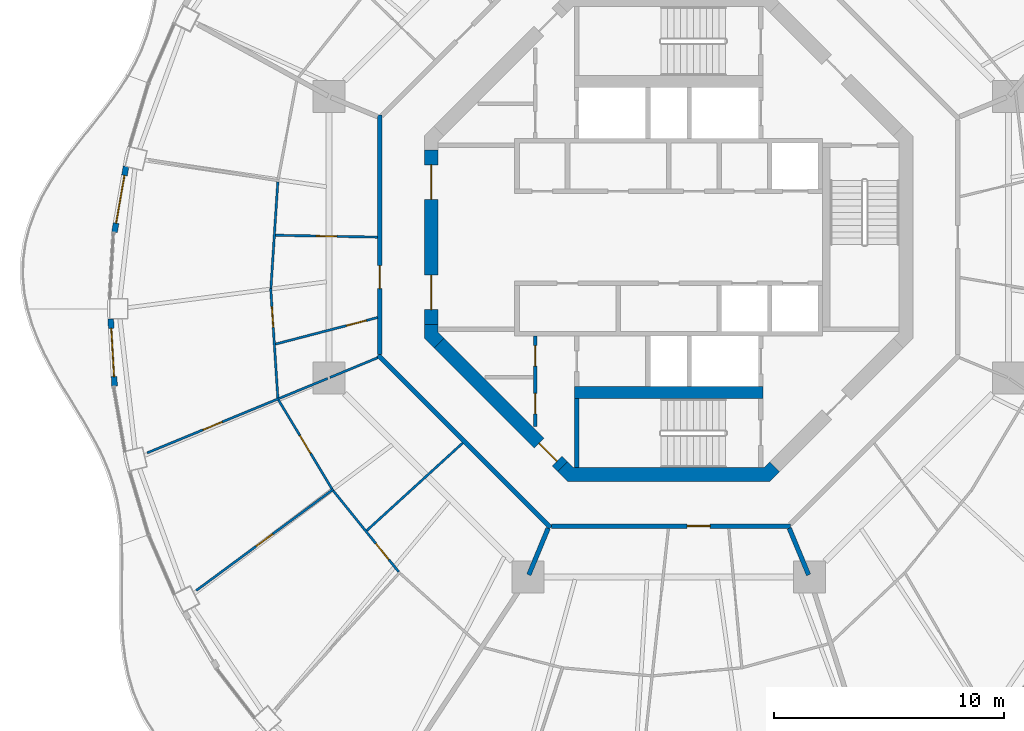
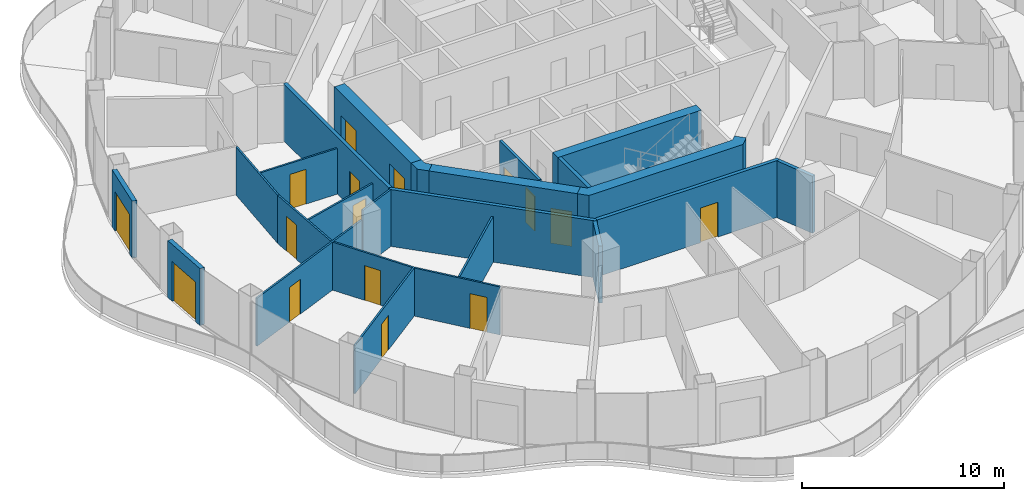
# One storey, part 10 of 17: 24 walls, 16 doors, 16 openings.
"""IFC4 building model written with IfcOpenShell, lengths in metres."""

import ifcopenshell
import ifcopenshell.guid

model = None  # the IFC model being written
_history = None  # IfcOwnerHistory: only IFC2X3 demands one
_inside = {}  # id of a spatial element -> (the spatial element, [elements in it])
_under = {}  # id of a project, library or spatial element -> (it, [spatial elements below it])
_declared = {}  # id of a project -> (the project, [libraries it declares])
_typed = {}  # id of a type object -> (the type object, [elements of that type])
_made_of = {}  # id of a material, layer set ... -> (it, [elements and type objects made of it])


def new_model(schema):
    """Start an empty IFC model of exactly this schema.

    Asked for "IFC4X3", IfcOpenShell would pick the latest addendum, in which some entities
    have other attributes; the version numbers below select the first issue.
    IFC2X3 requires an IfcOwnerHistory on every rooted entity: one is made here for all.
    """
    global model, _history
    if schema == "IFC4X3":
        model = ifcopenshell.file(schema_version=(4, 3, 0, 0))
    else:
        model = ifcopenshell.file(schema=schema)
    _inside.clear()
    _under.clear()
    _declared.clear()
    _typed.clear()
    _made_of.clear()
    _history = None
    if model.schema == "IFC2X3":
        org = make("IfcOrganization", Name="unknown")
        user = make(
            "IfcPersonAndOrganization",
            ThePerson=make("IfcPerson", FamilyName="unknown"),
            TheOrganization=org,
        )
        app = make(
            "IfcApplication",
            ApplicationDeveloper=org,
            Version="unknown",
            ApplicationFullName="unknown",
            ApplicationIdentifier="unknown",
        )
        _history = make(
            "IfcOwnerHistory",
            OwningUser=user,
            OwningApplication=app,
            ChangeAction="ADDED",
            CreationDate=0,
        )
    return model


def make(cls, **values):
    """One entity of the class cls with the attributes given. An attribute that is None is left unset."""
    return model.create_entity(
        cls, **{name: value for name, value in values.items() if value is not None}
    )


def rooted(cls, **values):
    """An entity with a GlobalId (a new one), such as an element, a storey or a relation."""
    return make(cls, GlobalId=ifcopenshell.guid.new(), OwnerHistory=_history, **values)


def si_unit(unit_type, name, prefix=None):
    """IfcSIUnit, for example si_unit("LENGTHUNIT", "METRE", prefix="MILLI")."""
    return make("IfcSIUnit", UnitType=unit_type, Prefix=prefix, Name=name)


def assignment(units):
    """IfcUnitAssignment: the units of a project."""
    return None if units is None else make("IfcUnitAssignment", Units=units)


def point(xyz):
    """IfcCartesianPoint."""
    return None if xyz is None else make("IfcCartesianPoint", Coordinates=xyz)


def direction(xyz):
    """IfcDirection."""
    return None if xyz is None else make("IfcDirection", DirectionRatios=xyz)


def frame(location, z_axis=None, x_axis=None):
    """IfcAxis2Placement3D, a coordinate frame: its origin and axes. An axis left out is left unset."""
    return make(
        "IfcAxis2Placement3D",
        Location=point(location),
        Axis=direction(z_axis),
        RefDirection=direction(x_axis),
    )


def frame_2d(location, x_axis=None):
    """IfcAxis2Placement2D, a coordinate frame in the plane: its origin and x axis."""
    return make(
        "IfcAxis2Placement2D", Location=point(location), RefDirection=direction(x_axis)
    )


def origin():
    """The frame at (0, 0, 0) with its axes left unset."""
    return frame((0.0, 0.0, 0.0))


def place(relative_to, where):
    """IfcLocalPlacement: puts the frame where relative to a parent placement (None: the world)."""
    return make(
        "IfcLocalPlacement", PlacementRelTo=relative_to, RelativePlacement=where
    )


def context(
    kind, dimensions, precision=None, world=None, true_north=None, identifier=None
):
    """IfcGeometricRepresentationContext, for example the 3D "Model" context."""
    return make(
        "IfcGeometricRepresentationContext",
        ContextIdentifier=identifier,
        ContextType=kind,
        CoordinateSpaceDimension=dimensions,
        Precision=precision,
        WorldCoordinateSystem=world,
        TrueNorth=true_north,
    )


def subcontext(parent, identifier, kind, view, scale=None):
    """IfcGeometricRepresentationSubContext, for example "Body" below "Model"."""
    return make(
        "IfcGeometricRepresentationSubContext",
        ContextIdentifier=identifier,
        ContextType=kind,
        ParentContext=parent,
        TargetScale=scale,
        TargetView=view,
    )


def project(units=None, contexts=None):
    """IfcProject with its units and contexts."""
    return rooted(
        "IfcProject",
        Name="project",
        RepresentationContexts=contexts,
        UnitsInContext=assignment(units),
    )


def spatial(cls, under=None, at=None, **own):
    """A site, building, storey or space (cls), placed at a placement, below another one or the project."""
    s = rooted(cls, ObjectPlacement=at, **own)
    if under is not None:
        _under.setdefault(under.id(), (under, []))[1].append(s)
    return s


def polyline(points):
    """IfcPolyline through the points."""
    return make("IfcPolyline", Points=[point(p) for p in points])


def profile(cls, at=None, kind="AREA", **sizes):
    """A parametric profile (cls). Its sizes go by their IFC names, for example OverallWidth=200.0."""
    return make(cls, ProfileType=kind, Position=at, **sizes)


def rectangle(**sizes):
    """IfcRectangleProfileDef."""
    return profile("IfcRectangleProfileDef", **sizes)


def outline(outer, holes=None, kind="AREA"):
    """IfcArbitraryClosedProfileDef: a profile drawn as a closed curve; with holes, ...WithVoids."""
    if holes is None:
        return make("IfcArbitraryClosedProfileDef", ProfileType=kind, OuterCurve=outer)
    return make(
        "IfcArbitraryProfileDefWithVoids",
        ProfileType=kind,
        OuterCurve=outer,
        InnerCurves=holes,
    )


def extrude(swept, where, along, depth):
    """IfcExtrudedAreaSolid: the profile swept, set in the frame where, extruded along a direction by depth."""
    return make(
        "IfcExtrudedAreaSolid",
        SweptArea=swept,
        Position=where,
        ExtrudedDirection=direction(along),
        Depth=depth,
    )


def shape(context_of_items, identifier, shape_type, items):
    """IfcShapeRepresentation: the items that make up one representation, for example the "Body"."""
    return make(
        "IfcShapeRepresentation",
        ContextOfItems=context_of_items,
        RepresentationIdentifier=identifier,
        RepresentationType=shape_type,
        Items=items,
    )


def material(Name=None, Category=None):
    """IfcMaterial."""
    return make("IfcMaterial", Name=Name, Category=Category)


def layer(
    of_material, thickness, ventilated=None, Name=None, Category=None, Priority=None
):
    """IfcMaterialLayer: one layer of a wall or slab, of a material (None: an air gap)."""
    return make(
        "IfcMaterialLayer",
        Material=of_material,
        LayerThickness=thickness,
        IsVentilated=ventilated,
        Name=Name,
        Category=Category,
        Priority=Priority,
    )


def layer_set(layers, Name=None):
    """IfcMaterialLayerSet."""
    return make("IfcMaterialLayerSet", MaterialLayers=layers, LayerSetName=Name)


def made_of(thing, what):
    """Note that an element or type object is made of a material, layer set ...; save() writes the relation."""
    if what is not None:
        _made_of.setdefault(what.id(), (what, []))[1].append(thing)
    return thing


def type_object(cls, material=None, **own):
    """A type object (cls), such as IfcWallType, which elements share."""
    return made_of(rooted(cls, **own), material)


def element(
    cls,
    number,
    at=None,
    inside=None,
    cuts=None,
    type_object=None,
    material=None,
    context=None,
    identifier="Body",
    shape_type=None,
    held_by="IfcProductDefinitionShape",
    body=None,
    shapes=None,
    **own,
):
    """One element of the class cls, such as IfcWall. Its Tag is "e" and its number.

    at: its placement. inside: the storey or other place that contains it. cuts: it is an
    opening in that element (IfcRelVoidsElement). A single representation is given by context,
    identifier, shape_type and body (its items); several are given by shapes. held_by: the class
    of the entity that holds the representations. save() writes the other relations.
    """
    e = rooted(cls, Tag="e%d" % number, ObjectPlacement=at, **own)
    if body is not None:
        shapes = [shape(context, identifier, shape_type, body)]
    if shapes is not None:
        e.Representation = make(held_by, Representations=shapes)
    if inside is not None:
        _inside.setdefault(inside.id(), (inside, []))[1].append(e)
    if cuts is not None:
        rooted(
            "IfcRelVoidsElement", RelatingBuildingElement=cuts, RelatedOpeningElement=e
        )
    if type_object is not None:
        _typed.setdefault(type_object.id(), (type_object, []))[1].append(e)
    return made_of(e, material)


def fill(opening, filler):
    """IfcRelFillsElement: the door or window that sits in an opening."""
    return rooted(
        "IfcRelFillsElement",
        RelatingOpeningElement=opening,
        RelatedBuildingElement=filler,
    )


def aggregate(whole, parts):
    """IfcRelAggregates: a whole, such as a stair, and the parts it consists of."""
    return rooted("IfcRelAggregates", RelatingObject=whole, RelatedObjects=parts)


def save(model, path):
    """Write the relations noted so far, then the file.

    IfcRelAggregates (storeys below a building ...), IfcRelContainedInSpatialStructure (elements
    in a storey), IfcRelDefinesByType, IfcRelAssociatesMaterial and IfcRelDeclares: one each for
    every whole, place, type object, material and project.
    """
    for whole, parts in _under.values():
        aggregate(whole, parts)
    for where, things in _inside.values():
        rooted(
            "IfcRelContainedInSpatialStructure",
            RelatedElements=things,
            RelatingStructure=where,
        )
    for kind, things in _typed.values():
        rooted("IfcRelDefinesByType", RelatedObjects=things, RelatingType=kind)
    for what, things in _made_of.values():
        rooted("IfcRelAssociatesMaterial", RelatedObjects=things, RelatingMaterial=what)
    for by, libraries in _declared.values():
        rooted("IfcRelDeclares", RelatingContext=by, RelatedDefinitions=libraries)
    model.write(path)


model = new_model("IFC4")

# Units and contexts
model_context = context("Model", 3, precision=1e-05, world=origin(), true_north=direction((0.0, 1.0)))
body_context = subcontext(model_context, "Body", "Model", "MODEL_VIEW")
ifc_project = project(units=[si_unit("LENGTHUNIT", "METRE"), si_unit("AREAUNIT", "SQUARE_METRE"), si_unit("VOLUMEUNIT", "CUBIC_METRE"), si_unit("PLANEANGLEUNIT", "RADIAN"), si_unit("MASSUNIT", "GRAM", prefix="KILO")], contexts=[model_context])

# Site, building, storey
site_placement = place(None, origin())
site = spatial("IfcSite", under=ifc_project, at=site_placement, CompositionType="ELEMENT")
building_placement = place(site_placement, origin())
building = spatial("IfcBuilding", under=site, at=building_placement, Name="Nagisa Residences", CompositionType="ELEMENT")
storey_placement = place(building_placement, frame((0.0, 0.0, 273.300048828125)))
storey = spatial("IfcBuildingStorey", under=building, at=storey_placement, Name="L69", CompositionType="ELEMENT", Elevation=273.300048828125)

# Walls
ifc_material_1 = material(Name="Gypsum board on steel studs", Category="steel")
ifc_layer_1 = layer(ifc_material_1, 0.199951171875)
ifc_layer_set_1 = layer_set([ifc_layer_1], Name="Apartment compartment wall EI60 200")
wall_type_1 = type_object("IfcWallType", Name="Apartment compartment wall EI60 200", PredefinedType="PARTITIONING", material=ifc_layer_set_1)
wall_1_placement = place(storey_placement, frame((-5.24267578125, -12.6572265625, 0.0), z_axis=(0.0, 0.0, 1.0), x_axis=(-0.382770106157, -0.923843626288, 0.0)))
element("IfcWall", 1, at=wall_1_placement, inside=storey, type_object=wall_type_1, Name="wall:L69:u06", PredefinedType="PARTITIONING", context=body_context, shape_type="SweptSolid", body=[
    extrude(rectangle(XDim=2.19921875, YDim=0.199951171875, at=frame_2d((1.099609375, 0.0))), origin(), (0.0, 0.0, 1.0), 3.43994140625),
])
wall_2_placement = place(storey_placement, frame((5.24267578125, -12.6572265625, 0.0), z_axis=(0.0, 0.0, 1.0), x_axis=(0.382707856524, -0.923869415315, 0.0)))
element("IfcWall", 2, at=wall_2_placement, inside=storey, type_object=wall_type_1, Name="wall:L69:u08", PredefinedType="PARTITIONING", context=body_context, shape_type="SweptSolid", body=[
    extrude(rectangle(XDim=2.2001953125, YDim=0.199951171875, at=frame_2d((1.10009765625, 0.0))), origin(), (0.0, 0.0, 1.0), 3.43994140625),
])

# Wall, opening, door
ifc_material_2 = material(Name="Gypsum board on steel studs", Category="steel")
ifc_layer_2 = layer(ifc_material_2, 0.199951171875)
ifc_layer_set_2 = layer_set([ifc_layer_2], Name="Apartment entry wall EI60 200")
wall_type_2 = type_object("IfcWallType", Name="Apartment entry wall EI60 200", PredefinedType="PARTITIONING", material=ifc_layer_set_2)
wall_3_placement = place(storey_placement, frame((-12.564697265625, 5.304443359375, 0.0), z_axis=(0.0, 0.0, 1.0), x_axis=(0.0, -1.0, 0.0)))
wall_3 = element("IfcWall", 3, at=wall_3_placement, inside=storey, type_object=wall_type_2, Name="wall:L69:u14", PredefinedType="PARTITIONING", context=body_context, shape_type="SweptSolid", body=[
    extrude(rectangle(XDim=10.408935546875, YDim=0.199951171875, at=frame_2d((5.20458984375, 0.0))), origin(), (0.0, 0.0, 1.0), 3.43994140625),
])
opening_1_placement = place(wall_3_placement, frame((6.539306640625, 0.0, 0.0)))
opening_1 = element("IfcOpeningElement", 4, at=opening_1_placement, cuts=wall_3, Name="Opening L69-U15", PredefinedType="OPENING", context=body_context, shape_type="SweptSolid", body=[
    extrude(rectangle(XDim=1.0, YDim=2.10009765625, at=frame_2d((0.5, 1.050048828125))), frame((0.0, 0.10986328125, 0.0), z_axis=(0.0, -1.0, 0.0), x_axis=(1.0, 0.0, 0.0)), (0.0, 0.0, 1.0), 0.219970703125),
])
ifc_material_3 = material(Name="Timber fire door set", Category="wood")
door_type_1 = type_object("IfcDoorType", Name="Apartment entry door FD30S 1000x2100", OperationType="NOTDEFINED", PredefinedType="DOOR", material=ifc_material_3)
door_1_placement = place(opening_1_placement, frame((1.0, 0.0, 0.0), x_axis=(-1.0, 0.0, 0.0)))
door_1 = element("IfcDoor", 5, at=door_1_placement, inside=storey, type_object=door_type_1, Name="Entry door, Apartment 69C", OperationType="SINGLE_SWING_RIGHT", OverallHeight=2.10009765625, OverallWidth=1.0, PredefinedType="DOOR", context=body_context, shape_type="SweptSolid", body=[
    extrude(rectangle(XDim=1.0, YDim=2.10009765625, at=frame_2d((0.5, 1.050048828125))), frame((0.0, 0.02490234375, 0.0), z_axis=(0.0, -1.0, 0.0), x_axis=(1.0, 0.0, 0.0)), (0.0, 0.0, 1.0), 0.050048828125),
])
fill(opening_1, door_1)

# Wall
wall_4_placement = place(storey_placement, frame((-12.635498046875, -5.1337890625, 0.0), z_axis=(0.0, 0.0, 1.0), x_axis=(0.707106781187, -0.707106781187, 0.0)))
element("IfcWall", 6, at=wall_4_placement, inside=storey, type_object=wall_type_2, Name="wall:L69:u15", PredefinedType="PARTITIONING", context=body_context, shape_type="SweptSolid", body=[
    extrude(rectangle(XDim=10.609130859375, YDim=0.199951171875, at=frame_2d((5.3046875, 0.0))), origin(), (0.0, 0.0, 1.0), 3.43994140625),
])

# Wall, opening, door
wall_5_placement = place(storey_placement, frame((-5.1044921875, -12.564697265625, 0.0), z_axis=(0.0, 0.0, 1.0), x_axis=(1.0, 0.0, 0.0)))
wall_5 = element("IfcWall", 7, at=wall_5_placement, inside=storey, type_object=wall_type_2, Name="wall:L69:u16", PredefinedType="PARTITIONING", context=body_context, shape_type="SweptSolid", body=[
    extrude(rectangle(XDim=10.408935546875, YDim=0.199951171875, at=frame_2d((5.20458984375, 0.0))), origin(), (0.0, 0.0, 1.0), 3.43994140625),
])
opening_2_placement = place(wall_5_placement, frame((5.905517578125, 0.0, 0.0)))
opening_2 = element("IfcOpeningElement", 8, at=opening_2_placement, cuts=wall_5, Name="Opening L69-U25", PredefinedType="OPENING", context=body_context, shape_type="SweptSolid", body=[
    extrude(rectangle(XDim=1.0, YDim=2.10009765625, at=frame_2d((0.5, 1.050048828125))), frame((0.0, 0.10986328125, 0.0), z_axis=(0.0, -1.0, 0.0), x_axis=(1.0, 0.0, 0.0)), (0.0, 0.0, 1.0), 0.219970703125),
])
door_2_placement = place(opening_2_placement, frame((1.0, 0.0, 0.0), x_axis=(-1.0, 0.0, 0.0)))
door_2 = element("IfcDoor", 9, at=door_2_placement, inside=storey, type_object=door_type_1, Name="Entry door, Apartment 69D", OperationType="SINGLE_SWING_RIGHT", OverallHeight=2.10009765625, OverallWidth=1.0, PredefinedType="DOOR", context=body_context, shape_type="SweptSolid", body=[
    extrude(rectangle(XDim=1.0, YDim=2.10009765625, at=frame_2d((0.5, 1.050048828125))), frame((0.0, 0.02490234375, 0.0), z_axis=(0.0, -1.0, 0.0), x_axis=(1.0, 0.0, 0.0)), (0.0, 0.0, 1.0), 0.050048828125),
])
fill(opening_2, door_2)

# Wall
ifc_material_4 = material(Name="Gypsum board on steel studs", Category="steel")
ifc_layer_3 = layer(ifc_material_4, 0.10009765625)
ifc_layer_set_3 = layer_set([ifc_layer_3], Name="Apartment partition 100")
wall_type_3 = type_object("IfcWallType", Name="Apartment partition 100", PredefinedType="PARTITIONING", material=ifc_layer_set_3)
wall_6_placement = place(storey_placement, frame((-17.001708984375, 2.40869140625, 0.0), z_axis=(0.0, 0.0, 1.0), x_axis=(-0.064855550758, -0.997894662545, 0.0)))
element("IfcWall", 10, at=wall_6_placement, inside=storey, type_object=wall_type_3, Name="wall:L69:u41", PredefinedType="PARTITIONING", context=body_context, shape_type="SweptSolid", body=[
    extrude(rectangle(XDim=4.656494140625, YDim=0.10009765625, at=frame_2d((2.328125, 0.0))), origin(), (0.0, 0.0, 1.0), 2.905029296875),
])

# Wall, opening, door
wall_7_placement = place(storey_placement, frame((-12.664794921875, 0.001953125, 0.0), z_axis=(0.0, 0.0, 1.0), x_axis=(-0.999827178165, 0.018590691287, 0.0)))
wall_7 = element("IfcWall", 11, at=wall_7_placement, inside=storey, type_object=wall_type_3, Name="wall:L69:u42", PredefinedType="PARTITIONING", context=body_context, shape_type="SweptSolid", body=[
    extrude(rectangle(XDim=4.438720703125, YDim=0.10009765625, at=frame_2d((2.21923828125, 0.0))), origin(), (0.0, 0.0, 1.0), 2.761962890625),
])
opening_3_placement = place(wall_7_placement, frame((1.769287109375, 0.0, 0.0)))
opening_3 = element("IfcOpeningElement", 12, at=opening_3_placement, cuts=wall_7, Name="Opening L69-U16", PredefinedType="OPENING", context=body_context, shape_type="SweptSolid", body=[
    extrude(rectangle(XDim=0.89990234375, YDim=2.10009765625, at=frame_2d((0.449951171875, 1.050048828125))), frame((0.0, 0.06005859375, 0.0), z_axis=(0.0, -1.0, 0.0), x_axis=(1.0, 0.0, 0.0)), (0.0, 0.0, 1.0), 0.1201171875),
])
ifc_material_5 = material(Name="Timber door set", Category="wood")
door_type_2 = type_object("IfcDoorType", Name="Apartment door 900x2100", OperationType="NOTDEFINED", PredefinedType="DOOR", material=ifc_material_5)
door_3_placement = place(opening_3_placement, frame((0.89990234375, 0.0, 0.0), x_axis=(-1.0, 0.0, 0.0)))
door_3 = element("IfcDoor", 13, at=door_3_placement, inside=storey, type_object=door_type_2, Name="Door to store, Apartment 69C", OperationType="SINGLE_SWING_LEFT", OverallHeight=2.10009765625, OverallWidth=0.89990234375, PredefinedType="DOOR", context=body_context, shape_type="SweptSolid", body=[
    extrude(rectangle(XDim=0.89990234375, YDim=2.10009765625, at=frame_2d((0.449951171875, 1.050048828125))), frame((0.0, 0.02490234375, 0.0), z_axis=(0.0, -1.0, 0.0), x_axis=(1.0, 0.0, 0.0)), (0.0, 0.0, 1.0), 0.050048828125),
])
fill(opening_3, door_3)

wall_8_placement = place(storey_placement, frame((-17.31005859375, -2.238037109375, 0.0), z_axis=(0.0, 0.0, 1.0), x_axis=(0.064949202176, -0.997888571503, 0.0)))
wall_8 = element("IfcWall", 14, at=wall_8_placement, inside=storey, type_object=wall_type_3, Name="wall:L69:u43", PredefinedType="PARTITIONING", context=body_context, shape_type="SweptSolid", body=[
    extrude(rectangle(XDim=4.7587890625, YDim=0.10009765625, at=frame_2d((2.37939453125, 0.0))), origin(), (0.0, 0.0, 1.0), 2.905029296875),
])
opening_4_placement = place(wall_8_placement, frame((0.789794921875, 0.0, 0.0)))
opening_4 = element("IfcOpeningElement", 15, at=opening_4_placement, cuts=wall_8, Name="Opening L69-U19", PredefinedType="OPENING", context=body_context, shape_type="SweptSolid", body=[
    extrude(rectangle(XDim=0.89990234375, YDim=2.10009765625, at=frame_2d((0.449951171875, 1.050048828125))), frame((0.0, 0.06005859375, 0.0), z_axis=(0.0, -1.0, 0.0), x_axis=(1.0, 0.0, 0.0)), (0.0, 0.0, 1.0), 0.1201171875),
])
door_4_placement = place(opening_4_placement, frame((0.89990234375, 0.0, 0.0), x_axis=(-1.0, 0.0, 0.0)))
door_4 = element("IfcDoor", 16, at=door_4_placement, inside=storey, type_object=door_type_2, Name="Door to living room, Apartment 69C", OperationType="SINGLE_SWING_RIGHT", OverallHeight=2.10009765625, OverallWidth=0.89990234375, PredefinedType="DOOR", context=body_context, shape_type="SweptSolid", body=[
    extrude(rectangle(XDim=0.89990234375, YDim=2.10009765625, at=frame_2d((0.449951171875, 1.050048828125))), frame((0.0, 0.02490234375, 0.0), z_axis=(0.0, -1.0, 0.0), x_axis=(1.0, 0.0, 0.0)), (0.0, 0.0, 1.0), 0.050048828125),
])
fill(opening_4, door_4)

wall_9_placement = place(storey_placement, frame((-12.66162109375, -3.494873046875, 0.0), z_axis=(0.0, 0.0, 1.0), x_axis=(-0.967834941053, -0.251586022817, 0.0)))
wall_9 = element("IfcWall", 17, at=wall_9_placement, inside=storey, type_object=wall_type_3, Name="wall:L69:u44", PredefinedType="PARTITIONING", context=body_context, shape_type="SweptSolid", body=[
    extrude(rectangle(XDim=4.590087890625, YDim=0.10009765625, at=frame_2d((2.294921875, 0.0))), origin(), (0.0, 0.0, 1.0), 2.761962890625),
])
opening_5_placement = place(wall_9_placement, frame((0.49951171875, 0.0, 0.0)))
opening_5 = element("IfcOpeningElement", 18, at=opening_5_placement, cuts=wall_9, Name="Opening L69-U17", PredefinedType="OPENING", context=body_context, shape_type="SweptSolid", body=[
    extrude(rectangle(XDim=0.89990234375, YDim=2.10009765625, at=frame_2d((0.449951171875, 1.050048828125))), frame((0.0, 0.06005859375, 0.0), z_axis=(0.0, -1.0, 0.0), x_axis=(1.0, 0.0, 0.0)), (0.0, 0.0, 1.0), 0.1201171875),
])
door_5_placement = place(opening_5_placement, origin())
door_5 = element("IfcDoor", 19, at=door_5_placement, inside=storey, type_object=door_type_2, Name="Door to family bathroom, Apartment 69C", OperationType="SINGLE_SWING_LEFT", OverallHeight=2.10009765625, OverallWidth=0.89990234375, PredefinedType="DOOR", context=body_context, shape_type="SweptSolid", body=[
    extrude(rectangle(XDim=0.89990234375, YDim=2.10009765625, at=frame_2d((0.449951171875, 1.050048828125))), frame((0.0, 0.02490234375, 0.0), z_axis=(0.0, -1.0, 0.0), x_axis=(1.0, 0.0, 0.0)), (0.0, 0.0, 1.0), 0.050048828125),
])
fill(opening_5, door_5)

# Wall
wall_10_placement = place(storey_placement, frame((-12.6572265625, -5.24267578125, 0.0), z_axis=(0.0, 0.0, 1.0), x_axis=(-0.923871314276, -0.382703272338, 0.0)))
element("IfcWall", 20, at=wall_10_placement, inside=storey, type_object=wall_type_3, Name="wall:L69:u45", PredefinedType="PARTITIONING", context=body_context, shape_type="SweptSolid", body=[
    extrude(rectangle(XDim=2.249267578125, YDim=0.10009765625, at=frame_2d((1.12451171875, 0.0))), origin(), (0.0, 0.0, 1.0), 3.43994140625),
])

# Wall, opening, door
wall_11_placement = place(storey_placement, frame((-14.828369140625, -6.14208984375, 0.0), z_axis=(0.0, 0.0, 1.0), x_axis=(-0.924478087429, -0.381235184451, 0.0)))
wall_11 = element("IfcWall", 21, at=wall_11_placement, inside=storey, type_object=wall_type_3, Name="wall:L69:u46", PredefinedType="PARTITIONING", context=body_context, shape_type="SweptSolid", body=[
    extrude(rectangle(XDim=8.499267578125, YDim=0.10009765625, at=frame_2d((4.24951171875, 0.0))), origin(), (0.0, 0.0, 1.0), 2.905029296875),
])
opening_6_placement = place(wall_11_placement, frame((4.97314453125, 0.0, 0.0)))
opening_6 = element("IfcOpeningElement", 22, at=opening_6_placement, cuts=wall_11, Name="Opening L69-U20", PredefinedType="OPENING", context=body_context, shape_type="SweptSolid", body=[
    extrude(rectangle(XDim=0.89990234375, YDim=2.10009765625, at=frame_2d((0.449951171875, 1.050048828125))), frame((0.0, 0.06005859375, 0.0), z_axis=(0.0, -1.0, 0.0), x_axis=(1.0, 0.0, 0.0)), (0.0, 0.0, 1.0), 0.1201171875),
])
door_6_placement = place(opening_6_placement, origin())
door_6 = element("IfcDoor", 23, at=door_6_placement, inside=storey, type_object=door_type_2, Name="Door to kitchen, Apartment 69C", OperationType="SINGLE_SWING_RIGHT", OverallHeight=2.10009765625, OverallWidth=0.89990234375, PredefinedType="DOOR", context=body_context, shape_type="SweptSolid", body=[
    extrude(rectangle(XDim=0.89990234375, YDim=2.10009765625, at=frame_2d((0.449951171875, 1.050048828125))), frame((0.0, 0.02490234375, 0.0), z_axis=(0.0, -1.0, 0.0), x_axis=(1.0, 0.0, 0.0)), (0.0, 0.0, 1.0), 0.050048828125),
])
fill(opening_6, door_6)

wall_12_placement = place(storey_placement, frame((-16.971923828125, -7.07958984375, 0.0), z_axis=(0.0, 0.0, 1.0), x_axis=(0.514989049311, -0.857196756346, 0.0)))
wall_12 = element("IfcWall", 24, at=wall_12_placement, inside=storey, type_object=wall_type_3, Name="wall:L69:u47", PredefinedType="PARTITIONING", context=body_context, shape_type="SweptSolid", body=[
    extrude(rectangle(XDim=4.51171875, YDim=0.10009765625, at=frame_2d((2.255859375, 0.0))), origin(), (0.0, 0.0, 1.0), 2.905029296875),
])
opening_7_placement = place(wall_12_placement, frame((1.805908203125, 0.0, 0.0)))
opening_7 = element("IfcOpeningElement", 25, at=opening_7_placement, cuts=wall_12, Name="Opening L69-U23", PredefinedType="OPENING", context=body_context, shape_type="SweptSolid", body=[
    extrude(rectangle(XDim=0.89990234375, YDim=2.10009765625, at=frame_2d((0.449951171875, 1.050048828125))), frame((0.0, 0.06005859375, 0.0), z_axis=(0.0, -1.0, 0.0), x_axis=(1.0, 0.0, 0.0)), (0.0, 0.0, 1.0), 0.1201171875),
])
door_7_placement = place(opening_7_placement, origin())
door_7 = element("IfcDoor", 26, at=door_7_placement, inside=storey, type_object=door_type_2, Name="Door to store, Apartment 69C", OperationType="SINGLE_SWING_LEFT", OverallHeight=2.10009765625, OverallWidth=0.89990234375, PredefinedType="DOOR", context=body_context, shape_type="SweptSolid", body=[
    extrude(rectangle(XDim=0.89990234375, YDim=2.10009765625, at=frame_2d((0.449951171875, 1.050048828125))), frame((0.0, 0.02490234375, 0.0), z_axis=(0.0, -1.0, 0.0), x_axis=(1.0, 0.0, 0.0)), (0.0, 0.0, 1.0), 0.050048828125),
])
fill(opening_7, door_7)

wall_13_placement = place(storey_placement, frame((-14.582275390625, -10.960205078125, 0.0), z_axis=(0.0, 0.0, 1.0), x_axis=(-0.804405200554, -0.594081032623, 0.0)))
wall_13 = element("IfcWall", 27, at=wall_13_placement, inside=storey, type_object=wall_type_3, Name="wall:L69:u48", PredefinedType="PARTITIONING", context=body_context, shape_type="SweptSolid", body=[
    extrude(rectangle(XDim=7.41845703125, YDim=0.10009765625, at=frame_2d((3.709228515625, 0.0))), origin(), (0.0, 0.0, 1.0), 2.905029296875),
])
opening_8_placement = place(wall_13_placement, frame((3.2841796875, 0.0, 0.0)))
opening_8 = element("IfcOpeningElement", 28, at=opening_8_placement, cuts=wall_13, Name="Opening L69-U21", PredefinedType="OPENING", context=body_context, shape_type="SweptSolid", body=[
    extrude(rectangle(XDim=0.89990234375, YDim=2.10009765625, at=frame_2d((0.449951171875, 1.050048828125))), frame((0.0, 0.06005859375, 0.0), z_axis=(0.0, -1.0, 0.0), x_axis=(1.0, 0.0, 0.0)), (0.0, 0.0, 1.0), 0.1201171875),
])
door_8_placement = place(opening_8_placement, origin())
door_8 = element("IfcDoor", 29, at=door_8_placement, inside=storey, type_object=door_type_2, Name="Door to family room, Apartment 69C", OperationType="SINGLE_SWING_LEFT", OverallHeight=2.10009765625, OverallWidth=0.89990234375, PredefinedType="DOOR", context=body_context, shape_type="SweptSolid", body=[
    extrude(rectangle(XDim=0.89990234375, YDim=2.10009765625, at=frame_2d((0.449951171875, 1.050048828125))), frame((0.0, 0.02490234375, 0.0), z_axis=(0.0, -1.0, 0.0), x_axis=(1.0, 0.0, 0.0)), (0.0, 0.0, 1.0), 0.050048828125),
])
fill(opening_8, door_8)

wall_14_placement = place(storey_placement, frame((-14.59130859375, -11.02880859375, 0.0), z_axis=(0.0, 0.0, 1.0), x_axis=(0.628170338674, -0.778075848237, 0.0)))
wall_14 = element("IfcWall", 30, at=wall_14_placement, inside=storey, type_object=wall_type_3, Name="wall:L69:u49", PredefinedType="PARTITIONING", context=body_context, shape_type="SweptSolid", body=[
    extrude(rectangle(XDim=4.532470703125, YDim=0.10009765625, at=frame_2d((2.26611328125, 0.0))), origin(), (0.0, 0.0, 1.0), 2.905029296875),
])
opening_9_placement = place(wall_14_placement, frame((2.94921875, 0.0, 0.0)))
opening_9 = element("IfcOpeningElement", 31, at=opening_9_placement, cuts=wall_14, Name="Opening L69-U24", PredefinedType="OPENING", context=body_context, shape_type="SweptSolid", body=[
    extrude(rectangle(XDim=0.89990234375, YDim=2.10009765625, at=frame_2d((0.449951171875, 1.050048828125))), frame((0.0, 0.06005859375, 0.0), z_axis=(0.0, -1.0, 0.0), x_axis=(1.0, 0.0, 0.0)), (0.0, 0.0, 1.0), 0.1201171875),
])
door_9_placement = place(opening_9_placement, origin())
door_9 = element("IfcDoor", 32, at=door_9_placement, inside=storey, type_object=door_type_2, Name="Door to laundry, Apartment 69C", OperationType="SINGLE_SWING_RIGHT", OverallHeight=2.10009765625, OverallWidth=0.89990234375, PredefinedType="DOOR", context=body_context, shape_type="SweptSolid", body=[
    extrude(rectangle(XDim=0.89990234375, YDim=2.10009765625, at=frame_2d((0.449951171875, 1.050048828125))), frame((0.0, 0.02490234375, 0.0), z_axis=(0.0, -1.0, 0.0), x_axis=(1.0, 0.0, 0.0)), (0.0, 0.0, 1.0), 0.050048828125),
])
fill(opening_9, door_9)

# Wall
wall_15_placement = place(storey_placement, frame((-8.95849609375, -8.9521484375, 0.0), z_axis=(0.0, 0.0, 1.0), x_axis=(-0.73876526954, -0.673962815385, 0.0)))
element("IfcWall", 33, at=wall_15_placement, inside=storey, type_object=wall_type_3, Name="wall:L69:u50", PredefinedType="PARTITIONING", context=body_context, shape_type="SweptSolid", body=[
    extrude(rectangle(XDim=5.6474609375, YDim=0.10009765625, at=frame_2d((2.82373046875, 0.0))), origin(), (0.0, 0.0, 1.0), 2.761962890625),
])

# Wall, opening, door
ifc_material_6 = material(Name="Precast concrete C40/50", Category="concrete")
ifc_layer_4 = layer(ifc_material_6, 0.25)
ifc_layer_set_4 = layer_set([ifc_layer_4], Name="BALCONY DOOR WALL 250")
wall_type_4 = type_object("IfcWallType", Name="BALCONY DOOR WALL 250", PredefinedType="SOLIDWALL", material=ifc_layer_set_4)
wall_16_placement = place(storey_placement, frame((-24.103271484375, 0.220458984375, 0.0), z_axis=(0.0, 0.0, 1.0), x_axis=(0.172182411767, 0.985065082661, 0.0)))
wall_16 = element("IfcWall", 34, at=wall_16_placement, inside=storey, type_object=wall_type_4, Name="wall:L69:bay22", PredefinedType="SOLIDWALL", context=body_context, shape_type="SweptSolid", body=[
    extrude(rectangle(XDim=2.902587890625, YDim=0.25, at=frame_2d((1.451171875, 0.0))), origin(), (0.0, 0.0, 1.0), 3.43994140625),
])
opening_10_placement = place(wall_16_placement, frame((0.401123046875, 0.0, 0.0)))
opening_10 = element("IfcOpeningElement", 35, at=opening_10_placement, cuts=wall_16, Name="Opening BD-L69-08", PredefinedType="OPENING", context=body_context, shape_type="SweptSolid", body=[
    extrude(rectangle(XDim=2.10009765625, YDim=2.39990234375, at=frame_2d((1.050048828125, 1.199951171875))), frame((0.0, 0.135009765625, 0.0), z_axis=(0.0, -1.0, 0.0), x_axis=(1.0, 0.0, 0.0)), (0.0, 0.0, 1.0), 0.27001953125),
])
ifc_material_7 = material(Name="Aluminium and clear glass", Category="aluminium")
door_type_3 = type_object("IfcDoorType", Name="BALCONY SLIDING DOOR 2100x2400", OperationType="SLIDING_TO_LEFT", PredefinedType="DOOR", material=ifc_material_7)
door_10_placement = place(opening_10_placement, origin())
door_10 = element("IfcDoor", 36, at=door_10_placement, inside=storey, type_object=door_type_3, Name="door:L69:bay22", OperationType="SLIDING_TO_LEFT", OverallHeight=2.39990234375, OverallWidth=2.10009765625, PredefinedType="DOOR", context=body_context, shape_type="SweptSolid", body=[
    extrude(rectangle(XDim=2.10009765625, YDim=2.39990234375, at=frame_2d((1.050048828125, 1.199951171875))), frame((0.0, 0.02490234375, 0.0), z_axis=(0.0, -1.0, 0.0), x_axis=(1.0, 0.0, 0.0)), (0.0, 0.0, 1.0), 0.050048828125),
])
fill(opening_10, door_10)

wall_17_placement = place(storey_placement, frame((-24.101806640625, -6.47021484375, 0.0), z_axis=(0.0, 0.0, 1.0), x_axis=(-0.057450463359, 0.99834835817, 0.0)))
wall_17 = element("IfcWall", 37, at=wall_17_placement, inside=storey, type_object=wall_type_4, Name="wall:L69:bay24", PredefinedType="SOLIDWALL", context=body_context, shape_type="SweptSolid", body=[
    extrude(rectangle(XDim=2.915283203125, YDim=0.25, at=frame_2d((1.45751953125, 0.0))), origin(), (0.0, 0.0, 1.0), 3.43994140625),
])
opening_11_placement = place(wall_17_placement, frame((0.40771484375, 0.0, 0.0)))
opening_11 = element("IfcOpeningElement", 38, at=opening_11_placement, cuts=wall_17, Name="Opening BD-L69-09", PredefinedType="OPENING", context=body_context, shape_type="SweptSolid", body=[
    extrude(rectangle(XDim=2.10009765625, YDim=2.39990234375, at=frame_2d((1.050048828125, 1.199951171875))), frame((0.0, 0.135009765625, 0.0), z_axis=(0.0, -1.0, 0.0), x_axis=(1.0, 0.0, 0.0)), (0.0, 0.0, 1.0), 0.27001953125),
])
door_11_placement = place(opening_11_placement, origin())
door_11 = element("IfcDoor", 39, at=door_11_placement, inside=storey, type_object=door_type_3, Name="door:L69:bay24", OperationType="SLIDING_TO_LEFT", OverallHeight=2.39990234375, OverallWidth=2.10009765625, PredefinedType="DOOR", context=body_context, shape_type="SweptSolid", body=[
    extrude(rectangle(XDim=2.10009765625, YDim=2.39990234375, at=frame_2d((1.050048828125, 1.199951171875))), frame((0.0, 0.02490234375, 0.0), z_axis=(0.0, -1.0, 0.0), x_axis=(1.0, 0.0, 0.0)), (0.0, 0.0, 1.0), 0.050048828125),
])
fill(opening_11, door_11)

# Wall, openings, doors
ifc_material_8 = material(Name="Gypsum board on steel studs", Category="steel")
ifc_layer_5 = layer(ifc_material_8, 0.14990234375)
ifc_layer_set_5 = layer_set([ifc_layer_5], Name="Core partition 150")
wall_type_5 = type_object("IfcWallType", Name="Core partition 150", PredefinedType="PARTITIONING", material=ifc_layer_set_5)
wall_18_placement = place(storey_placement, frame((-5.800048828125, -8.22705078125, 0.0), z_axis=(0.0, 0.0, 1.0), x_axis=(0.0, 1.0, 0.0)))
wall_18 = element("IfcWall", 40, at=wall_18_placement, inside=storey, type_object=wall_type_5, Name="wall:L69:SWp", PredefinedType="PARTITIONING", context=body_context, shape_type="SweptSolid", body=[
    extrude(rectangle(XDim=3.927001953125, YDim=0.14990234375, at=frame_2d((1.96337890625, 0.0))), origin(), (0.0, 0.0, 1.0), 3.43994140625),
])
opening_12_placement = place(wall_18_placement, frame((2.614501953125, 0.0, 0.0)))
opening_12 = element("IfcOpeningElement", 41, at=opening_12_placement, cuts=wall_18, Name="Opening L69-C12", PredefinedType="OPENING", context=body_context, shape_type="SweptSolid", body=[
    extrude(rectangle(XDim=0.89990234375, YDim=2.10009765625, at=frame_2d((0.449951171875, 1.050048828125))), frame((0.0, 0.0849609375, 0.0), z_axis=(0.0, -1.0, 0.0), x_axis=(1.0, 0.0, 0.0)), (0.0, 0.0, 1.0), 0.169921875),
])
opening_13_placement = place(wall_18_placement, frame((0.53857421875, 0.0, 0.0)))
opening_13 = element("IfcOpeningElement", 42, at=opening_13_placement, cuts=wall_18, Name="Opening L69-C13", PredefinedType="OPENING", context=body_context, shape_type="SweptSolid", body=[
    extrude(rectangle(XDim=0.89990234375, YDim=2.10009765625, at=frame_2d((0.449951171875, 1.050048828125))), frame((0.0, 0.0849609375, 0.0), z_axis=(0.0, -1.0, 0.0), x_axis=(1.0, 0.0, 0.0)), (0.0, 0.0, 1.0), 0.169921875),
])
ifc_material_9 = material(Name="Steel fire door", Category="steel")
door_type_4 = type_object("IfcDoorType", Name="Fire door EI30 900x2100 single swing", OperationType="NOTDEFINED", PredefinedType="DOOR", material=ifc_material_9)
door_12_placement = place(opening_12_placement, origin())
door_12 = element("IfcDoor", 43, at=door_12_placement, inside=storey, type_object=door_type_4, Name="Valet store door L69", OperationType="SINGLE_SWING_RIGHT", OverallHeight=2.10009765625, OverallWidth=0.89990234375, PredefinedType="DOOR", context=body_context, shape_type="SweptSolid", body=[
    extrude(rectangle(XDim=0.89990234375, YDim=2.10009765625, at=frame_2d((0.449951171875, 1.050048828125))), frame((0.0, 0.02490234375, 0.0), z_axis=(0.0, -1.0, 0.0), x_axis=(1.0, 0.0, 0.0)), (0.0, 0.0, 1.0), 0.050048828125),
])
fill(opening_12, door_12)
door_13_placement = place(opening_13_placement, origin())
door_13 = element("IfcDoor", 44, at=door_13_placement, inside=storey, type_object=door_type_4, Name="Staff WC door L69", OperationType="SINGLE_SWING_RIGHT", OverallHeight=2.10009765625, OverallWidth=0.89990234375, PredefinedType="DOOR", context=body_context, shape_type="SweptSolid", body=[
    extrude(rectangle(XDim=0.89990234375, YDim=2.10009765625, at=frame_2d((0.449951171875, 1.050048828125))), frame((0.0, 0.02490234375, 0.0), z_axis=(0.0, -1.0, 0.0), x_axis=(1.0, 0.0, 0.0)), (0.0, 0.0, 1.0), 0.050048828125),
])
fill(opening_13, door_13)

ifc_material_10 = material(Name="Concrete C60", Category="concrete")
ifc_layer_6 = layer(ifc_material_10, 0.60009765625)
ifc_layer_set_6 = layer_set([ifc_layer_6], Name="Core shear wall 600")
wall_type_6 = type_object("IfcWallType", Name="Core shear wall 600", PredefinedType="SHEAR", material=ifc_layer_set_6)
wall_19_placement = place(storey_placement, frame((-10.32470703125, 3.80078125, 0.0), z_axis=(0.0, 0.0, 1.0), x_axis=(0.0, -1.0, 0.0)))
wall_19 = element("IfcWall", 45, at=wall_19_placement, inside=storey, type_object=wall_type_6, Name="wall:L69:core:flat4", PredefinedType="SHEAR", context=body_context, shape_type="SweptSolid", body=[
    extrude(rectangle(XDim=7.6015625, YDim=0.60009765625, at=frame_2d((3.80078125, 0.0))), origin(), (0.0, 0.0, 1.0), 3.43994140625),
])
opening_14_placement = place(wall_19_placement, frame((0.65087890625, 0.0, 0.0)))
opening_14 = element("IfcOpeningElement", 46, at=opening_14_placement, cuts=wall_19, Name="Opening L69-C23", PredefinedType="OPENING", context=body_context, shape_type="SweptSolid", body=[
    extrude(rectangle(XDim=1.5, YDim=2.10009765625, at=frame_2d((0.75, 1.050048828125))), frame((0.0, 0.31005859375, 0.0), z_axis=(0.0, -1.0, 0.0), x_axis=(1.0, 0.0, 0.0)), (0.0, 0.0, 1.0), 0.6201171875),
])
opening_15_placement = place(wall_19_placement, frame((5.450927734375, 0.0, 0.0)))
opening_15 = element("IfcOpeningElement", 47, at=opening_15_placement, cuts=wall_19, Name="Opening L69-C24", PredefinedType="OPENING", context=body_context, shape_type="SweptSolid", body=[
    extrude(rectangle(XDim=1.5, YDim=2.10009765625, at=frame_2d((0.75, 1.050048828125))), frame((0.0, 0.31005859375, 0.0), z_axis=(0.0, -1.0, 0.0), x_axis=(1.0, 0.0, 0.0)), (0.0, 0.0, 1.0), 0.6201171875),
])
ifc_material_11 = material(Name="Steel fire door", Category="steel")
door_type_5 = type_object("IfcDoorType", Name="Fire door EI60 1500x2100 double door single swing", OperationType="DOUBLE_DOOR_SINGLE_SWING", PredefinedType="DOOR", material=ifc_material_11)
door_14_placement = place(opening_14_placement, origin())
door_14 = element("IfcDoor", 48, at=door_14_placement, inside=storey, type_object=door_type_5, Name="Lift lobby door L69 1", OperationType="DOUBLE_DOOR_SINGLE_SWING", OverallHeight=2.10009765625, OverallWidth=1.5, PredefinedType="DOOR", context=body_context, shape_type="SweptSolid", body=[
    extrude(rectangle(XDim=1.5, YDim=2.10009765625, at=frame_2d((0.75, 1.050048828125))), frame((0.0, 0.02490234375, 0.0), z_axis=(0.0, -1.0, 0.0), x_axis=(1.0, 0.0, 0.0)), (0.0, 0.0, 1.0), 0.050048828125),
])
fill(opening_14, door_14)
door_15_placement = place(opening_15_placement, origin())
door_15 = element("IfcDoor", 49, at=door_15_placement, inside=storey, type_object=door_type_5, Name="Lift lobby door L69 2", OperationType="DOUBLE_DOOR_SINGLE_SWING", OverallHeight=2.10009765625, OverallWidth=1.5, PredefinedType="DOOR", context=body_context, shape_type="SweptSolid", body=[
    extrude(rectangle(XDim=1.5, YDim=2.10009765625, at=frame_2d((0.75, 1.050048828125))), frame((0.0, 0.02490234375, 0.0), z_axis=(0.0, -1.0, 0.0), x_axis=(1.0, 0.0, 0.0)), (0.0, 0.0, 1.0), 0.050048828125),
])
fill(opening_15, door_15)

# Wall, opening, door
wall_20_placement = place(storey_placement, frame((-9.98828125, -4.613037109375, 0.0), z_axis=(0.0, 0.0, 1.0), x_axis=(0.707106781187, -0.707106781187, 0.0)))
wall_20 = element("IfcWall", 50, at=wall_20_placement, inside=storey, type_object=wall_type_6, Name="wall:L69:core:flat5", PredefinedType="SHEAR", context=body_context, shape_type="SweptSolid", body=[
    extrude(rectangle(XDim=7.601806640625, YDim=0.60009765625, at=frame_2d((3.80078125, 0.0))), origin(), (0.0, 0.0, 1.0), 3.43994140625),
])
opening_16_placement = place(wall_20_placement, frame((6.15087890625, 0.0, 0.0)))
opening_16 = element("IfcOpeningElement", 51, at=opening_16_placement, cuts=wall_20, Name="Opening L69-C26", PredefinedType="OPENING", context=body_context, shape_type="SweptSolid", body=[
    extrude(rectangle(XDim=1.10009765625, YDim=2.10009765625, at=frame_2d((0.550048828125, 1.050048828125))), frame((0.0, 0.31005859375, 0.0), z_axis=(0.0, -1.0, 0.0), x_axis=(1.0, 0.0, 0.0)), (0.0, 0.0, 1.0), 0.6201171875),
])
ifc_material_12 = material(Name="Steel fire door", Category="steel")
door_type_6 = type_object("IfcDoorType", Name="Fire door EI60 1100x2100 single swing", OperationType="NOTDEFINED", PredefinedType="DOOR", material=ifc_material_12)
door_16_placement = place(opening_16_placement, origin())
door_16 = element("IfcDoor", 52, at=door_16_placement, inside=storey, type_object=door_type_6, Name="Housekeeping lobby door L69", OperationType="SINGLE_SWING_RIGHT", OverallHeight=2.10009765625, OverallWidth=1.10009765625, PredefinedType="DOOR", context=body_context, shape_type="SweptSolid", body=[
    extrude(rectangle(XDim=1.10009765625, YDim=2.10009765625, at=frame_2d((0.550048828125, 1.050048828125))), frame((0.0, 0.02490234375, 0.0), z_axis=(0.0, -1.0, 0.0), x_axis=(1.0, 0.0, 0.0)), (0.0, 0.0, 1.0), 0.050048828125),
])
fill(opening_16, door_16)

# Walls
wall_21_placement = place(storey_placement, origin())
element("IfcWall", 53, at=wall_21_placement, inside=storey, type_object=wall_type_6, Name="wall:L69:core:pier4", PredefinedType="SHEAR", context=body_context, shape_type="SweptSolid", body=[
    extrude(outline(polyline([(-10.62451171875, -3.80078125), (-10.024658203125, -3.80078125), (-10.024658203125, -4.15234375), (-9.776123046875, -4.40087890625), (-10.200439453125, -4.8251953125), (-10.62451171875, -4.40087890625), (-10.62451171875, -3.80078125)])), origin(), (0.0, 0.0, 1.0), 3.43994140625),
])
wall_22_placement = place(storey_placement, origin())
element("IfcWall", 54, at=wall_22_placement, inside=storey, type_object=wall_type_6, Name="wall:L69:core:flat6", PredefinedType="SHEAR", context=body_context, shape_type="SweptSolid", body=[
    extrude(outline(polyline([(-4.15234375, -10.024658203125), (4.15234375, -10.024658203125), (4.40087890625, -9.776123046875), (4.8251953125, -10.200439453125), (4.40087890625, -10.62451171875), (-4.40087890625, -10.62451171875), (-4.8251953125, -10.200439453125), (-4.40087890625, -9.776123046875), (-4.15234375, -10.024658203125)])), origin(), (0.0, 0.0, 1.0), 3.43994140625),
])
ifc_material_13 = material(Name="Concrete C60", Category="concrete")
ifc_layer_7 = layer(ifc_material_13, 0.199951171875)
ifc_layer_set_7 = layer_set([ifc_layer_7], Name="Stair enclosure wall 200")
wall_type_7 = type_object("IfcWallType", Name="Stair enclosure wall 200", PredefinedType="SOLIDWALL", material=ifc_layer_set_7)
wall_23_placement = place(storey_placement, origin())
element("IfcWall", 55, at=wall_23_placement, inside=storey, type_object=wall_type_7, Name="wall:L69:SS_w", PredefinedType="SOLIDWALL", context=body_context, shape_type="SweptSolid", body=[
    extrude(outline(polyline([(-3.89990234375, -10.024658203125), (-4.10009765625, -10.024658203125), (-4.10009765625, -7.024658203125), (-3.89990234375, -7.024658203125), (-3.89990234375, -10.024658203125)])), origin(), (0.0, 0.0, 1.0), 3.43994140625),
])
wall_24_placement = place(storey_placement, origin())
element("IfcWall", 56, at=wall_24_placement, inside=storey, type_object=wall_type_7, Name="wall:L69:SS_n", PredefinedType="SOLIDWALL", context=body_context, shape_type="SweptSolid", body=[
    extrude(outline(polyline([(4.10009765625, -7.024658203125), (-4.10009765625, -7.024658203125), (-4.10009765625, -6.5), (4.10009765625, -6.5), (4.10009765625, -7.024658203125)])), origin(), (0.0, 0.0, 1.0), 3.43994140625),
])

save(model, "model.ifc")
